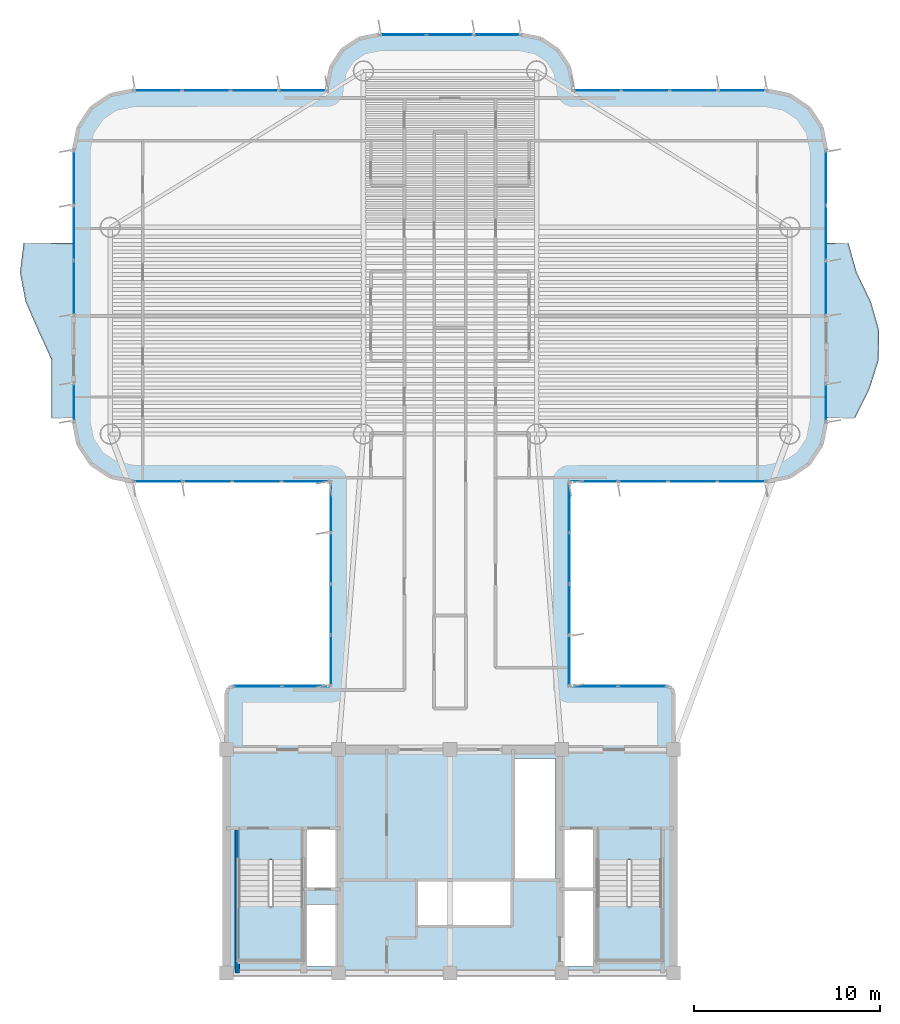
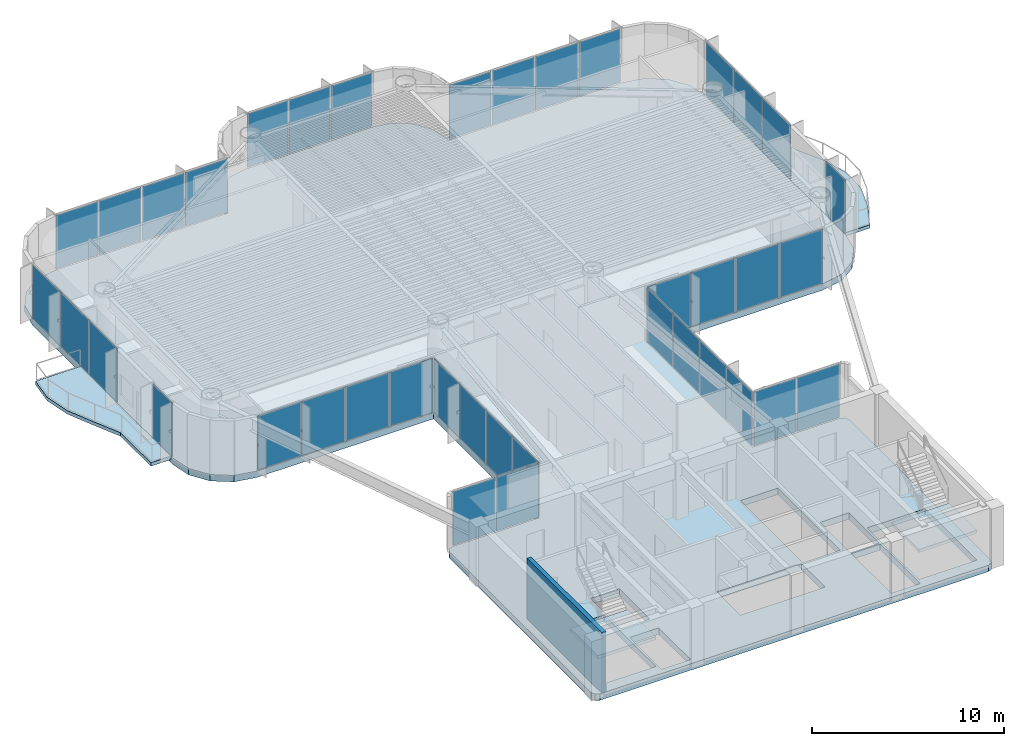
# One storey, part 8 of 15: 39 plates, 5 slabs, 1 wall, 15 elements without a shape of their own.
"""IFC4 building model written with IfcOpenShell, lengths in metres."""

from ifc_helpers import new_model, si_unit, direction, frame, frame_2d, origin, origin_2d, place, context, subcontext, project, spatial, polyline, rectangle, outline, extrude, source, transform, mapped, material, layer, layer_set, type_object, element, aggregate, save


model = new_model("IFC4")

# Units and contexts
model_context = context("Model", 3, precision=1e-05, world=origin(), true_north=direction((0.0, 1.0)))
body_context = subcontext(model_context, "Body", "Model", "MODEL_VIEW")
ifc_project = project(units=[si_unit("LENGTHUNIT", "METRE"), si_unit("AREAUNIT", "SQUARE_METRE"), si_unit("VOLUMEUNIT", "CUBIC_METRE"), si_unit("PLANEANGLEUNIT", "RADIAN"), si_unit("MASSUNIT", "GRAM", prefix="KILO")], contexts=[model_context])

# Site, building, storey
site_placement = place(None, origin())
site = spatial("IfcSite", under=ifc_project, at=site_placement, CompositionType="ELEMENT")
building_placement = place(site_placement, origin())
building = spatial("IfcBuilding", under=site, at=building_placement, Name="Brelvock Crest Care Tower", CompositionType="ELEMENT")
storey_placement = place(building_placement, frame((0.0, 0.0, 156.419921875)))
storey = spatial("IfcBuildingStorey", under=building, at=storey_placement, Name="L39", CompositionType="ELEMENT", Elevation=156.419921875)

# Slabs
ifc_material_1 = material(Name="Concrete N50 (50 MPa)", Category="concrete")
ifc_layer_1 = layer(ifc_material_1, 0.407958984375, Name="SLB-FL5")
ifc_layer_set_1 = layer_set([ifc_layer_1], Name="Concrete N50 (50 MPa)")
slab_type_1 = type_object("IfcSlabType", Name="SLB-FL5", PredefinedType="FLOOR", material=ifc_layer_set_1)
slab_1_placement = place(storey_placement, frame((0.0, 0.0, -0.407958984375)))
element("IfcSlab", 1, at=slab_1_placement, inside=storey, type_object=slab_type_1, Name="L39 Main Structural Slab", PredefinedType="FLOOR", context=body_context, shape_type="SweptSolid", body=[
    extrude(outline(polyline([(47.64990234375, 21.39990234375), (42.39990234375, 21.39990234375), (42.39990234375, 32.39990234375), (53.0, 32.39990234375), (54.224609375, 32.6435546875), (55.2626953125, 33.33740234375), (55.956298828125, 34.37548828125), (56.199951171875, 35.60009765625), (56.199951171875, 50.199951171875), (55.956298828125, 51.424560546875), (55.2626953125, 52.462646484375), (54.224609375, 53.156494140625), (53.0, 53.39990234375), (42.60009765625, 53.39990234375), (42.60009765625, 53.60009765625), (42.386962890625, 54.67138671875), (41.77978515625, 55.579833984375), (40.87158203125, 56.18701171875), (39.800048828125, 56.39990234375), (32.199951171875, 56.39990234375), (31.12841796875, 56.18701171875), (30.22021484375, 55.579833984375), (29.613037109375, 54.67138671875), (29.39990234375, 53.60009765625), (29.39990234375, 53.39990234375), (19.0, 53.39990234375), (17.775390625, 53.156494140625), (16.7373046875, 52.462646484375), (16.043701171875, 51.424560546875), (15.800048828125, 50.199951171875), (15.800048828125, 35.60009765625), (16.043701171875, 34.37548828125), (16.7373046875, 33.33740234375), (17.775390625, 32.6435546875), (19.0, 32.39990234375), (29.60009765625, 32.39990234375), (29.60009765625, 21.39990234375), (24.35009765625, 21.39990234375), (24.1025390625, 21.297607421875), (24.0, 21.050048828125), (24.0, 6.35009765625), (24.1025390625, 6.1025390625), (24.35009765625, 6.0), (47.64990234375, 6.0), (47.8974609375, 6.1025390625), (48.0, 6.35009765625), (48.0, 21.050048828125), (47.8974609375, 21.297607421875), (47.64990234375, 21.39990234375)]), holes=[polyline([(28.239990234375, 10.580078125), (29.97998046875, 10.580078125), (29.97998046875, 13.739990234375), (28.239990234375, 13.739990234375), (28.239990234375, 10.580078125)]), polyline([(42.02001953125, 10.580078125), (43.760009765625, 10.580078125), (43.760009765625, 13.739990234375), (42.02001953125, 13.739990234375), (42.02001953125, 10.580078125)]), polyline([(28.239990234375, 6.340087890625), (29.97998046875, 6.340087890625), (29.97998046875, 9.64990234375), (28.239990234375, 9.64990234375), (28.239990234375, 6.340087890625)]), polyline([(24.6298828125, 12.080078125), (24.6298828125, 6.699951171875), (28.110107421875, 6.699951171875), (28.110107421875, 12.080078125), (24.6298828125, 12.080078125)]), polyline([(43.889892578125, 12.080078125), (43.889892578125, 6.699951171875), (47.3701171875, 6.699951171875), (47.3701171875, 12.080078125), (43.889892578125, 12.080078125)]), polyline([(42.02001953125, 6.340087890625), (43.760009765625, 6.340087890625), (43.760009765625, 10.5), (42.02001953125, 10.5), (42.02001953125, 6.340087890625)]), polyline([(34.22998046875, 8.530029296875), (39.320068359375, 8.530029296875), (39.320068359375, 10.969970703125), (34.22998046875, 10.969970703125), (34.22998046875, 8.530029296875)]), polyline([(39.429931640625, 11.030029296875), (41.669921875, 11.030029296875), (41.669921875, 17.52001953125), (39.429931640625, 17.52001953125), (39.429931640625, 11.030029296875)])]), origin(), (0.0, 0.0, 1.0), 0.407958984375),
])
ifc_layer_2 = layer(ifc_material_1, 0.219970703125, Name="SLB-WB1")
ifc_layer_set_2 = layer_set([ifc_layer_2], Name="Concrete N50 (50 MPa)")
slab_type_2 = type_object("IfcSlabType", Name="SLB-WB1", PredefinedType="FLOOR", material=ifc_layer_set_2)
slab_2_placement = place(storey_placement, frame((0.0, 0.0, -0.219970703125)))
element("IfcSlab", 2, at=slab_2_placement, inside=storey, type_object=slab_type_2, Name="L39 W Sinusoidal Wave Balcony Slab", PredefinedType="FLOOR", context=body_context, shape_type="SweptSolid", body=[
    extrude(outline(polyline([(15.800048828125, 45.199951171875), (13.098876953125, 45.199951171875), (12.90283203125, 43.63330078125), (13.200927734375, 42.066650390625), (13.883544921875, 40.5), (14.60009765625, 38.933349609375), (14.60009765625, 37.36669921875), (14.60009765625, 35.800048828125), (15.800048828125, 35.800048828125), (15.800048828125, 45.199951171875)])), origin(), (0.0, 0.0, 1.0), 0.219970703125),
])
slab_3_placement = place(storey_placement, frame((0.0, 0.0, -0.219970703125)))
element("IfcSlab", 3, at=slab_3_placement, inside=storey, type_object=slab_type_2, Name="L39 E Sinusoidal Wave Balcony Slab", PredefinedType="FLOOR", context=body_context, shape_type="SweptSolid", body=[
    extrude(outline(polyline([(56.199951171875, 35.800048828125), (57.75, 35.800048828125), (58.529052734375, 37.36669921875), (59.022705078125, 38.933349609375), (59.04931640625, 40.5), (58.599609375, 42.066650390625), (57.83837890625, 43.63330078125), (57.39990234375, 45.199951171875), (56.199951171875, 45.199951171875), (56.199951171875, 35.800048828125)])), origin(), (0.0, 0.0, 1.0), 0.219970703125),
])

# Stair, slab
ifc_material_2 = material(Name="Concrete N40 (40 MPa)", Category="concrete")
stair_type = type_object("IfcStairType", Name="ST-CORE1", PredefinedType="HALF_TURN_STAIR", material=ifc_material_2)
stair_1_placement = place(storey_placement, origin())
stair_1 = element("IfcStair", 4, at=stair_1_placement, inside=storey, type_object=stair_type, Name="L39 Fire-Isolated Core Stair ST-1", PredefinedType="HALF_TURN_STAIR")
ifc_layer_3 = layer(ifc_material_2, 0.199951171875, Name="STL-1")
ifc_layer_set_3 = layer_set([ifc_layer_3], Name="Concrete N40 (40 MPa)")
slab_type_3 = type_object("IfcSlabType", Name="STL-1", PredefinedType="LANDING", material=ifc_layer_set_3)
slab_4_placement = place(storey_placement, frame((0.0, 0.0, 1.690185546875)))
slab_4 = element("IfcSlab", 5, at=slab_4_placement, type_object=slab_type_3, Name="ST-1 landing 1", PredefinedType="LANDING", context=body_context, shape_type="SweptSolid", body=[
    extrude(outline(polyline([(24.6298828125, 9.56005859375), (24.6298828125, 6.699951171875), (28.110107421875, 6.699951171875), (28.110107421875, 9.56005859375), (24.6298828125, 9.56005859375)])), origin(), (0.0, 0.0, 1.0), 0.199951171875),
])
aggregate(stair_1, [slab_4])

stair_2_placement = place(storey_placement, origin())
stair_2 = element("IfcStair", 6, at=stair_2_placement, inside=storey, type_object=stair_type, Name="L39 Fire-Isolated Core Stair ST-2", PredefinedType="HALF_TURN_STAIR")
slab_5_placement = place(storey_placement, frame((0.0, 0.0, 1.690185546875)))
slab_5 = element("IfcSlab", 7, at=slab_5_placement, type_object=slab_type_3, Name="ST-2 landing 1", PredefinedType="LANDING", context=body_context, shape_type="SweptSolid", body=[
    extrude(outline(polyline([(43.889892578125, 9.56005859375), (43.889892578125, 6.699951171875), (47.3701171875, 6.699951171875), (47.3701171875, 9.56005859375), (43.889892578125, 9.56005859375)])), origin(), (0.0, 0.0, 1.0), 0.199951171875),
])
aggregate(stair_2, [slab_5])

# Curtain wall, plates
ifc_material_3 = material(Name="Dark Glass Double Glazed Low-E", Category="glass")
ifc_layer_4 = layer(ifc_material_3, 0.22509765625, Name="CWS-4")
ifc_layer_set_4 = layer_set([ifc_layer_4], Name="Dark Glass Double Glazed Low-E")
curtain_wall_type = type_object("IfcCurtainWallType", Name="CWS-4", PredefinedType="NOTDEFINED", material=ifc_layer_set_4)
curtain_wall_1_placement = place(storey_placement, origin())
curtain_wall_1 = element("IfcCurtainWall", 8, at=curtain_wall_1_placement, inside=storey, type_object=curtain_wall_type, Name="L39 Curtain Wall E10", PredefinedType="NOTDEFINED")
ifc_layer_5 = layer(ifc_material_3, 0.0380859375, Name="CWP-V2")
ifc_layer_set_5 = layer_set([ifc_layer_5], Name="Dark Glass Double Glazed Low-E")
plate_type = type_object("IfcPlateType", Name="CWP-V2", PredefinedType="CURTAIN_PANEL", material=ifc_layer_set_5)
shared_shape_1 = source(origin(), body_context, "Body", "SweptSolid", [
    extrude(rectangle(XDim=2.534912109375, YDim=0.035888671875, at=origin_2d()), origin(), (0.0, 0.0, 1.0), 3.409912109375),
])
plate_1_placement = place(storey_placement, frame((25.677490234375, 21.39990234375, 0.06005859375), z_axis=(0.0, 0.0, 1.0), x_axis=(1.0, 0.0, 0.0)))
plate_1 = element("IfcPlate", 9, at=plate_1_placement, type_object=plate_type, Name="CW-4 panel 1.1", PredefinedType="CURTAIN_PANEL", context=body_context, shape_type="MappedRepresentation", body=[
    mapped(shared_shape_1, transform((0.0, 0.0, 0.0), x_axis=(1.0, 0.0, 0.0), y_axis=(0.0, 1.0, 0.0), z_axis=(0.0, 0.0, 1.0), scale=1.0)),
])
plate_2_placement = place(storey_placement, frame((28.2724609375, 21.39990234375, 0.06005859375), z_axis=(0.0, 0.0, 1.0), x_axis=(1.0, 0.0, 0.0)))
plate_2 = element("IfcPlate", 10, at=plate_2_placement, type_object=plate_type, Name="CW-4 panel 2.1", PredefinedType="CURTAIN_PANEL", context=body_context, shape_type="MappedRepresentation", body=[
    mapped(shared_shape_1, transform((0.0, 0.0, 0.0), x_axis=(1.0, 0.0, 0.0), y_axis=(0.0, 1.0, 0.0), z_axis=(0.0, 0.0, 1.0), scale=1.0)),
])
aggregate(curtain_wall_1, [plate_1, plate_2])

curtain_wall_2_placement = place(storey_placement, origin())
curtain_wall_2 = element("IfcCurtainWall", 11, at=curtain_wall_2_placement, inside=storey, type_object=curtain_wall_type, Name="L39 Curtain Wall E46", PredefinedType="NOTDEFINED")
plate_3_placement = place(storey_placement, frame((43.7275390625, 21.39990234375, 0.06005859375), z_axis=(0.0, 0.0, 1.0), x_axis=(1.0, 0.0, 0.0)))
plate_3 = element("IfcPlate", 12, at=plate_3_placement, type_object=plate_type, Name="CW-4 panel 1.1", PredefinedType="CURTAIN_PANEL", context=body_context, shape_type="MappedRepresentation", body=[
    mapped(shared_shape_1, transform((0.0, 0.0, 0.0), x_axis=(1.0, 0.0, 0.0), y_axis=(0.0, 1.0, 0.0), z_axis=(0.0, 0.0, 1.0), scale=1.0)),
])
plate_4_placement = place(storey_placement, frame((46.322509765625, 21.39990234375, 0.06005859375), z_axis=(0.0, 0.0, 1.0), x_axis=(1.0, 0.0, 0.0)))
plate_4 = element("IfcPlate", 13, at=plate_4_placement, type_object=plate_type, Name="CW-4 panel 2.1", PredefinedType="CURTAIN_PANEL", context=body_context, shape_type="MappedRepresentation", body=[
    mapped(shared_shape_1, transform((0.0, 0.0, 0.0), x_axis=(1.0, 0.0, 0.0), y_axis=(0.0, 1.0, 0.0), z_axis=(0.0, 0.0, 1.0), scale=1.0)),
])
aggregate(curtain_wall_2, [plate_3, plate_4])

curtain_wall_3_placement = place(storey_placement, origin())
curtain_wall_3 = element("IfcCurtainWall", 14, at=curtain_wall_3_placement, inside=storey, type_object=curtain_wall_type, Name="L39 Curtain Wall E11", PredefinedType="NOTDEFINED")
shared_shape_2 = source(origin(), body_context, "Body", "SweptSolid", [
    extrude(rectangle(XDim=2.659912109375, YDim=0.035888671875, at=origin_2d()), origin(), (0.0, 0.0, 1.0), 3.409912109375),
])
plate_5_placement = place(storey_placement, frame((29.60009765625, 22.7900390625, 0.06005859375), z_axis=(0.0, 0.0, 1.0), x_axis=(0.0, 1.0, 0.0)))
plate_5 = element("IfcPlate", 15, at=plate_5_placement, type_object=plate_type, Name="CW-4 panel 1.1", PredefinedType="CURTAIN_PANEL", context=body_context, shape_type="MappedRepresentation", body=[
    mapped(shared_shape_2, transform((0.0, 0.0, 0.0), x_axis=(1.0, 0.0, 0.0), y_axis=(0.0, 1.0, 0.0), z_axis=(0.0, 0.0, 1.0), scale=1.0)),
])
plate_6_placement = place(storey_placement, frame((29.60009765625, 31.010009765625, 0.06005859375), z_axis=(0.0, 0.0, 1.0), x_axis=(0.0, 1.0, 0.0)))
plate_6 = element("IfcPlate", 16, at=plate_6_placement, type_object=plate_type, Name="CW-4 panel 4.1", PredefinedType="CURTAIN_PANEL", context=body_context, shape_type="MappedRepresentation", body=[
    mapped(shared_shape_2, transform((0.0, 0.0, 0.0), x_axis=(1.0, 0.0, 0.0), y_axis=(0.0, 1.0, 0.0), z_axis=(0.0, 0.0, 1.0), scale=1.0)),
])

curtain_wall_4_placement = place(storey_placement, origin())
curtain_wall_4 = element("IfcCurtainWall", 17, at=curtain_wall_4_placement, inside=storey, type_object=curtain_wall_type, Name="L39 Curtain Wall E45", PredefinedType="NOTDEFINED")
plate_7_placement = place(storey_placement, frame((42.39990234375, 31.010009765625, 0.06005859375), z_axis=(0.0, 0.0, 1.0), x_axis=(0.0, -1.0, 0.0)))
plate_7 = element("IfcPlate", 18, at=plate_7_placement, type_object=plate_type, Name="CW-4 panel 1.1", PredefinedType="CURTAIN_PANEL", context=body_context, shape_type="MappedRepresentation", body=[
    mapped(shared_shape_2, transform((0.0, 0.0, 0.0), x_axis=(1.0, 0.0, 0.0), y_axis=(0.0, 1.0, 0.0), z_axis=(0.0, 0.0, 1.0), scale=1.0)),
])
plate_8_placement = place(storey_placement, frame((42.39990234375, 22.7900390625, 0.06005859375), z_axis=(0.0, 0.0, 1.0), x_axis=(0.0, -1.0, 0.0)))
plate_8 = element("IfcPlate", 19, at=plate_8_placement, type_object=plate_type, Name="CW-4 panel 4.1", PredefinedType="CURTAIN_PANEL", context=body_context, shape_type="MappedRepresentation", body=[
    mapped(shared_shape_2, transform((0.0, 0.0, 0.0), x_axis=(1.0, 0.0, 0.0), y_axis=(0.0, 1.0, 0.0), z_axis=(0.0, 0.0, 1.0), scale=1.0)),
])

# Plate
shared_shape_3 = source(origin(), body_context, "Body", "SweptSolid", [
    extrude(rectangle(XDim=2.68994140625, YDim=0.035888671875, at=origin_2d()), origin(), (0.0, 0.0, 1.0), 3.409912109375),
])
plate_9_placement = place(storey_placement, frame((29.60009765625, 25.52490234375, 0.06005859375), z_axis=(0.0, 0.0, 1.0), x_axis=(0.0, 1.0, 0.0)))
plate_9 = element("IfcPlate", 20, at=plate_9_placement, type_object=plate_type, Name="CW-4 panel 2.1", PredefinedType="CURTAIN_PANEL", context=body_context, shape_type="MappedRepresentation", body=[
    mapped(shared_shape_3, transform((0.0, 0.0, 0.0), x_axis=(1.0, 0.0, 0.0), y_axis=(0.0, 1.0, 0.0), z_axis=(0.0, 0.0, 1.0), scale=1.0)),
])

plate_10_placement = place(storey_placement, frame((29.60009765625, 28.27490234375, 0.06005859375), z_axis=(0.0, 0.0, 1.0), x_axis=(0.0, 1.0, 0.0)))
plate_10 = element("IfcPlate", 21, at=plate_10_placement, type_object=plate_type, Name="CW-4 panel 3.1", PredefinedType="CURTAIN_PANEL", context=body_context, shape_type="MappedRepresentation", body=[
    mapped(shared_shape_3, transform((0.0, 0.0, 0.0), x_axis=(1.0, 0.0, 0.0), y_axis=(0.0, 1.0, 0.0), z_axis=(0.0, 0.0, 1.0), scale=1.0)),
])

aggregate(curtain_wall_3, [plate_5, plate_9, plate_10, plate_6])

plate_11_placement = place(storey_placement, frame((42.39990234375, 28.27490234375, 0.06005859375), z_axis=(0.0, 0.0, 1.0), x_axis=(0.0, -1.0, 0.0)))
plate_11 = element("IfcPlate", 22, at=plate_11_placement, type_object=plate_type, Name="CW-4 panel 2.1", PredefinedType="CURTAIN_PANEL", context=body_context, shape_type="MappedRepresentation", body=[
    mapped(shared_shape_3, transform((0.0, 0.0, 0.0), x_axis=(1.0, 0.0, 0.0), y_axis=(0.0, 1.0, 0.0), z_axis=(0.0, 0.0, 1.0), scale=1.0)),
])

plate_12_placement = place(storey_placement, frame((42.39990234375, 25.52490234375, 0.06005859375), z_axis=(0.0, 0.0, 1.0), x_axis=(0.0, -1.0, 0.0)))
plate_12 = element("IfcPlate", 23, at=plate_12_placement, type_object=plate_type, Name="CW-4 panel 3.1", PredefinedType="CURTAIN_PANEL", context=body_context, shape_type="MappedRepresentation", body=[
    mapped(shared_shape_3, transform((0.0, 0.0, 0.0), x_axis=(1.0, 0.0, 0.0), y_axis=(0.0, 1.0, 0.0), z_axis=(0.0, 0.0, 1.0), scale=1.0)),
])

aggregate(curtain_wall_4, [plate_7, plate_11, plate_12, plate_8])

# Curtain wall, plates
curtain_wall_5_placement = place(storey_placement, origin())
curtain_wall_5 = element("IfcCurtainWall", 24, at=curtain_wall_5_placement, inside=storey, type_object=curtain_wall_type, Name="L39 Curtain Wall E12", PredefinedType="NOTDEFINED")
shared_shape_4 = source(origin(), body_context, "Body", "SweptSolid", [
    extrude(rectangle(XDim=2.56005859375, YDim=0.035888671875, at=origin_2d()), origin(), (0.0, 0.0, 1.0), 3.409912109375),
])
plate_13_placement = place(storey_placement, frame((28.260009765625, 32.39990234375, 0.06005859375), z_axis=(0.0, 0.0, 1.0), x_axis=(-1.0, 0.0, 0.0)))
plate_13 = element("IfcPlate", 25, at=plate_13_placement, type_object=plate_type, Name="CW-4 panel 1.1", PredefinedType="CURTAIN_PANEL", context=body_context, shape_type="MappedRepresentation", body=[
    mapped(shared_shape_4, transform((0.0, 0.0, 0.0), x_axis=(1.0, 0.0, 0.0), y_axis=(0.0, 1.0, 0.0), z_axis=(0.0, 0.0, 1.0), scale=1.0)),
])
plate_14_placement = place(storey_placement, frame((20.340087890625, 32.39990234375, 0.06005859375), z_axis=(0.0, 0.0, 1.0), x_axis=(-1.0, 0.0, 0.0)))
plate_14 = element("IfcPlate", 26, at=plate_14_placement, type_object=plate_type, Name="CW-4 panel 4.1", PredefinedType="CURTAIN_PANEL", context=body_context, shape_type="MappedRepresentation", body=[
    mapped(shared_shape_4, transform((0.0, 0.0, 0.0), x_axis=(1.0, 0.0, 0.0), y_axis=(0.0, 1.0, 0.0), z_axis=(0.0, 0.0, 1.0), scale=1.0)),
])

curtain_wall_6_placement = place(storey_placement, origin())
curtain_wall_6 = element("IfcCurtainWall", 27, at=curtain_wall_6_placement, inside=storey, type_object=curtain_wall_type, Name="L39 Curtain Wall E44", PredefinedType="NOTDEFINED")
plate_15_placement = place(storey_placement, frame((51.659912109375, 32.39990234375, 0.06005859375), z_axis=(0.0, 0.0, 1.0), x_axis=(-1.0, 0.0, 0.0)))
plate_15 = element("IfcPlate", 28, at=plate_15_placement, type_object=plate_type, Name="CW-4 panel 1.1", PredefinedType="CURTAIN_PANEL", context=body_context, shape_type="MappedRepresentation", body=[
    mapped(shared_shape_4, transform((0.0, 0.0, 0.0), x_axis=(1.0, 0.0, 0.0), y_axis=(0.0, 1.0, 0.0), z_axis=(0.0, 0.0, 1.0), scale=1.0)),
])
plate_16_placement = place(storey_placement, frame((43.739990234375, 32.39990234375, 0.06005859375), z_axis=(0.0, 0.0, 1.0), x_axis=(-1.0, 0.0, 0.0)))
plate_16 = element("IfcPlate", 29, at=plate_16_placement, type_object=plate_type, Name="CW-4 panel 4.1", PredefinedType="CURTAIN_PANEL", context=body_context, shape_type="MappedRepresentation", body=[
    mapped(shared_shape_4, transform((0.0, 0.0, 0.0), x_axis=(1.0, 0.0, 0.0), y_axis=(0.0, 1.0, 0.0), z_axis=(0.0, 0.0, 1.0), scale=1.0)),
])

# Plate
shared_shape_5 = source(origin(), body_context, "Body", "SweptSolid", [
    extrude(rectangle(XDim=2.590087890625, YDim=0.035888671875, at=origin_2d()), origin(), (0.0, 0.0, 1.0), 3.409912109375),
])
plate_17_placement = place(storey_placement, frame((25.625, 32.39990234375, 0.06005859375), z_axis=(0.0, 0.0, 1.0), x_axis=(-1.0, 0.0, 0.0)))
plate_17 = element("IfcPlate", 30, at=plate_17_placement, type_object=plate_type, Name="CW-4 panel 2.1", PredefinedType="CURTAIN_PANEL", context=body_context, shape_type="MappedRepresentation", body=[
    mapped(shared_shape_5, transform((0.0, 0.0, 0.0), x_axis=(1.0, 0.0, 0.0), y_axis=(0.0, 1.0, 0.0), z_axis=(0.0, 0.0, 1.0), scale=1.0)),
])

plate_18_placement = place(storey_placement, frame((22.97509765625, 32.39990234375, 0.06005859375), z_axis=(0.0, 0.0, 1.0), x_axis=(-1.0, 0.0, 0.0)))
plate_18 = element("IfcPlate", 31, at=plate_18_placement, type_object=plate_type, Name="CW-4 panel 3.1", PredefinedType="CURTAIN_PANEL", context=body_context, shape_type="MappedRepresentation", body=[
    mapped(shared_shape_5, transform((0.0, 0.0, 0.0), x_axis=(1.0, 0.0, 0.0), y_axis=(0.0, 1.0, 0.0), z_axis=(0.0, 0.0, 1.0), scale=1.0)),
])

aggregate(curtain_wall_5, [plate_13, plate_17, plate_18, plate_14])

plate_19_placement = place(storey_placement, frame((49.02490234375, 32.39990234375, 0.06005859375), z_axis=(0.0, 0.0, 1.0), x_axis=(-1.0, 0.0, 0.0)))
plate_19 = element("IfcPlate", 32, at=plate_19_placement, type_object=plate_type, Name="CW-4 panel 2.1", PredefinedType="CURTAIN_PANEL", context=body_context, shape_type="MappedRepresentation", body=[
    mapped(shared_shape_5, transform((0.0, 0.0, 0.0), x_axis=(1.0, 0.0, 0.0), y_axis=(0.0, 1.0, 0.0), z_axis=(0.0, 0.0, 1.0), scale=1.0)),
])

plate_20_placement = place(storey_placement, frame((46.375, 32.39990234375, 0.06005859375), z_axis=(0.0, 0.0, 1.0), x_axis=(-1.0, 0.0, 0.0)))
plate_20 = element("IfcPlate", 33, at=plate_20_placement, type_object=plate_type, Name="CW-4 panel 3.1", PredefinedType="CURTAIN_PANEL", context=body_context, shape_type="MappedRepresentation", body=[
    mapped(shared_shape_5, transform((0.0, 0.0, 0.0), x_axis=(1.0, 0.0, 0.0), y_axis=(0.0, 1.0, 0.0), z_axis=(0.0, 0.0, 1.0), scale=1.0)),
])

aggregate(curtain_wall_6, [plate_15, plate_19, plate_20, plate_16])

# Curtain wall, plate
curtain_wall_7_placement = place(storey_placement, origin())
curtain_wall_7 = element("IfcCurtainWall", 34, at=curtain_wall_7_placement, inside=storey, type_object=curtain_wall_type, Name="L39 Curtain Wall E17A", PredefinedType="NOTDEFINED")
shared_shape_6 = source(origin(), body_context, "Body", "SweptSolid", [
    extrude(rectangle(XDim=1.97998046875, YDim=0.035888671875, at=origin_2d()), origin(), (0.0, 0.0, 1.0), 3.409912109375),
])
plate_21_placement = place(storey_placement, frame((15.800048828125, 36.64990234375, 0.06005859375), z_axis=(0.0, 0.0, 1.0), x_axis=(0.0, 1.0, 0.0)))
plate_21 = element("IfcPlate", 35, at=plate_21_placement, type_object=plate_type, Name="CW-4 panel 1.1", PredefinedType="CURTAIN_PANEL", context=body_context, shape_type="MappedRepresentation", body=[
    mapped(shared_shape_6, transform((0.0, 0.0, 0.0), x_axis=(1.0, 0.0, 0.0), y_axis=(0.0, 1.0, 0.0), z_axis=(0.0, 0.0, 1.0), scale=1.0)),
])
aggregate(curtain_wall_7, [plate_21])

curtain_wall_8_placement = place(storey_placement, origin())
curtain_wall_8 = element("IfcCurtainWall", 36, at=curtain_wall_8_placement, inside=storey, type_object=curtain_wall_type, Name="L39 Curtain Wall E39B", PredefinedType="NOTDEFINED")
plate_22_placement = place(storey_placement, frame((56.199951171875, 36.64990234375, 0.06005859375), z_axis=(0.0, 0.0, 1.0), x_axis=(0.0, -1.0, 0.0)))
plate_22 = element("IfcPlate", 37, at=plate_22_placement, type_object=plate_type, Name="CW-4 panel 1.1", PredefinedType="CURTAIN_PANEL", context=body_context, shape_type="MappedRepresentation", body=[
    mapped(shared_shape_6, transform((0.0, 0.0, 0.0), x_axis=(1.0, 0.0, 0.0), y_axis=(0.0, 1.0, 0.0), z_axis=(0.0, 0.0, 1.0), scale=1.0)),
])
aggregate(curtain_wall_8, [plate_22])

# Curtain wall, plates
curtain_wall_9_placement = place(storey_placement, origin())
curtain_wall_9 = element("IfcCurtainWall", 38, at=curtain_wall_9_placement, inside=storey, type_object=curtain_wall_type, Name="L39 Curtain Wall E17B", PredefinedType="NOTDEFINED")
shared_shape_7 = source(origin(), body_context, "Body", "SweptSolid", [
    extrude(rectangle(XDim=2.876708984375, YDim=0.035888671875, at=origin_2d()), origin(), (0.0, 0.0, 1.0), 3.409912109375),
])
plate_23_placement = place(storey_placement, frame((15.800048828125, 42.79833984375, 0.06005859375), z_axis=(0.0, 0.0, 1.0), x_axis=(0.0, 1.0, 0.0)))
plate_23 = element("IfcPlate", 39, at=plate_23_placement, type_object=plate_type, Name="CW-4 panel 1.1", PredefinedType="CURTAIN_PANEL", context=body_context, shape_type="MappedRepresentation", body=[
    mapped(shared_shape_7, transform((0.0, 0.0, 0.0), x_axis=(1.0, 0.0, 0.0), y_axis=(0.0, 1.0, 0.0), z_axis=(0.0, 0.0, 1.0), scale=1.0)),
])
plate_24_placement = place(storey_placement, frame((15.800048828125, 48.70166015625, 0.06005859375), z_axis=(0.0, 0.0, 1.0), x_axis=(0.0, 1.0, 0.0)))
plate_24 = element("IfcPlate", 40, at=plate_24_placement, type_object=plate_type, Name="CW-4 panel 3.1", PredefinedType="CURTAIN_PANEL", context=body_context, shape_type="MappedRepresentation", body=[
    mapped(shared_shape_7, transform((0.0, 0.0, 0.0), x_axis=(1.0, 0.0, 0.0), y_axis=(0.0, 1.0, 0.0), z_axis=(0.0, 0.0, 1.0), scale=1.0)),
])

curtain_wall_10_placement = place(storey_placement, origin())
curtain_wall_10 = element("IfcCurtainWall", 41, at=curtain_wall_10_placement, inside=storey, type_object=curtain_wall_type, Name="L39 Curtain Wall E39A", PredefinedType="NOTDEFINED")
plate_25_placement = place(storey_placement, frame((56.199951171875, 48.70166015625, 0.06005859375), z_axis=(0.0, 0.0, 1.0), x_axis=(0.0, -1.0, 0.0)))
plate_25 = element("IfcPlate", 42, at=plate_25_placement, type_object=plate_type, Name="CW-4 panel 1.1", PredefinedType="CURTAIN_PANEL", context=body_context, shape_type="MappedRepresentation", body=[
    mapped(shared_shape_7, transform((0.0, 0.0, 0.0), x_axis=(1.0, 0.0, 0.0), y_axis=(0.0, 1.0, 0.0), z_axis=(0.0, 0.0, 1.0), scale=1.0)),
])
plate_26_placement = place(storey_placement, frame((56.199951171875, 42.79833984375, 0.06005859375), z_axis=(0.0, 0.0, 1.0), x_axis=(0.0, -1.0, 0.0)))
plate_26 = element("IfcPlate", 43, at=plate_26_placement, type_object=plate_type, Name="CW-4 panel 3.1", PredefinedType="CURTAIN_PANEL", context=body_context, shape_type="MappedRepresentation", body=[
    mapped(shared_shape_7, transform((0.0, 0.0, 0.0), x_axis=(1.0, 0.0, 0.0), y_axis=(0.0, 1.0, 0.0), z_axis=(0.0, 0.0, 1.0), scale=1.0)),
])

# Plate
shared_shape_8 = source(origin(), body_context, "Body", "SweptSolid", [
    extrude(rectangle(XDim=2.90673828125, YDim=0.035888671875, at=origin_2d()), origin(), (0.0, 0.0, 1.0), 3.409912109375),
])
plate_27_placement = place(storey_placement, frame((15.800048828125, 45.75, 0.06005859375), z_axis=(0.0, 0.0, 1.0), x_axis=(0.0, 1.0, 0.0)))
plate_27 = element("IfcPlate", 44, at=plate_27_placement, type_object=plate_type, Name="CW-4 panel 2.1", PredefinedType="CURTAIN_PANEL", context=body_context, shape_type="MappedRepresentation", body=[
    mapped(shared_shape_8, transform((0.0, 0.0, 0.0), x_axis=(1.0, 0.0, 0.0), y_axis=(0.0, 1.0, 0.0), z_axis=(0.0, 0.0, 1.0), scale=1.0)),
])

aggregate(curtain_wall_9, [plate_23, plate_27, plate_24])

plate_28_placement = place(storey_placement, frame((56.199951171875, 45.75, 0.06005859375), z_axis=(0.0, 0.0, 1.0), x_axis=(0.0, -1.0, 0.0)))
plate_28 = element("IfcPlate", 45, at=plate_28_placement, type_object=plate_type, Name="CW-4 panel 2.1", PredefinedType="CURTAIN_PANEL", context=body_context, shape_type="MappedRepresentation", body=[
    mapped(shared_shape_8, transform((0.0, 0.0, 0.0), x_axis=(1.0, 0.0, 0.0), y_axis=(0.0, 1.0, 0.0), z_axis=(0.0, 0.0, 1.0), scale=1.0)),
])

aggregate(curtain_wall_10, [plate_25, plate_28, plate_26])

# Curtain wall, plates
curtain_wall_11_placement = place(storey_placement, origin())
curtain_wall_11 = element("IfcCurtainWall", 46, at=curtain_wall_11_placement, inside=storey, type_object=curtain_wall_type, Name="L39 Curtain Wall E22", PredefinedType="NOTDEFINED")
shared_shape_9 = source(origin(), body_context, "Body", "SweptSolid", [
    extrude(rectangle(XDim=2.510009765625, YDim=0.035888671875, at=origin_2d()), origin(), (0.0, 0.0, 1.0), 3.409912109375),
])
plate_29_placement = place(storey_placement, frame((20.31494140625, 53.39990234375, 0.06005859375), z_axis=(0.0, 0.0, 1.0), x_axis=(1.0, 0.0, 0.0)))
plate_29 = element("IfcPlate", 47, at=plate_29_placement, type_object=plate_type, Name="CW-4 panel 1.1", PredefinedType="CURTAIN_PANEL", context=body_context, shape_type="MappedRepresentation", body=[
    mapped(shared_shape_9, transform((0.0, 0.0, 0.0), x_axis=(1.0, 0.0, 0.0), y_axis=(0.0, 1.0, 0.0), z_axis=(0.0, 0.0, 1.0), scale=1.0)),
])
plate_30_placement = place(storey_placement, frame((28.0849609375, 53.39990234375, 0.06005859375), z_axis=(0.0, 0.0, 1.0), x_axis=(1.0, 0.0, 0.0)))
plate_30 = element("IfcPlate", 48, at=plate_30_placement, type_object=plate_type, Name="CW-4 panel 4.1", PredefinedType="CURTAIN_PANEL", context=body_context, shape_type="MappedRepresentation", body=[
    mapped(shared_shape_9, transform((0.0, 0.0, 0.0), x_axis=(1.0, 0.0, 0.0), y_axis=(0.0, 1.0, 0.0), z_axis=(0.0, 0.0, 1.0), scale=1.0)),
])

curtain_wall_12_placement = place(storey_placement, origin())
curtain_wall_12 = element("IfcCurtainWall", 49, at=curtain_wall_12_placement, inside=storey, type_object=curtain_wall_type, Name="L39 Curtain Wall E34", PredefinedType="NOTDEFINED")
plate_31_placement = place(storey_placement, frame((43.9150390625, 53.39990234375, 0.06005859375), z_axis=(0.0, 0.0, 1.0), x_axis=(1.0, 0.0, 0.0)))
plate_31 = element("IfcPlate", 50, at=plate_31_placement, type_object=plate_type, Name="CW-4 panel 1.1", PredefinedType="CURTAIN_PANEL", context=body_context, shape_type="MappedRepresentation", body=[
    mapped(shared_shape_9, transform((0.0, 0.0, 0.0), x_axis=(1.0, 0.0, 0.0), y_axis=(0.0, 1.0, 0.0), z_axis=(0.0, 0.0, 1.0), scale=1.0)),
])
plate_32_placement = place(storey_placement, frame((51.68505859375, 53.39990234375, 0.06005859375), z_axis=(0.0, 0.0, 1.0), x_axis=(1.0, 0.0, 0.0)))
plate_32 = element("IfcPlate", 51, at=plate_32_placement, type_object=plate_type, Name="CW-4 panel 4.1", PredefinedType="CURTAIN_PANEL", context=body_context, shape_type="MappedRepresentation", body=[
    mapped(shared_shape_9, transform((0.0, 0.0, 0.0), x_axis=(1.0, 0.0, 0.0), y_axis=(0.0, 1.0, 0.0), z_axis=(0.0, 0.0, 1.0), scale=1.0)),
])

# Plate
shared_shape_10 = source(origin(), body_context, "Body", "SweptSolid", [
    extrude(rectangle(XDim=2.5400390625, YDim=0.035888671875, at=origin_2d()), origin(), (0.0, 0.0, 1.0), 3.409912109375),
])
plate_33_placement = place(storey_placement, frame((22.89990234375, 53.39990234375, 0.06005859375), z_axis=(0.0, 0.0, 1.0), x_axis=(1.0, 0.0, 0.0)))
plate_33 = element("IfcPlate", 52, at=plate_33_placement, type_object=plate_type, Name="CW-4 panel 2.1", PredefinedType="CURTAIN_PANEL", context=body_context, shape_type="MappedRepresentation", body=[
    mapped(shared_shape_10, transform((0.0, 0.0, 0.0), x_axis=(1.0, 0.0, 0.0), y_axis=(0.0, 1.0, 0.0), z_axis=(0.0, 0.0, 1.0), scale=1.0)),
])

plate_34_placement = place(storey_placement, frame((25.5, 53.39990234375, 0.06005859375), z_axis=(0.0, 0.0, 1.0), x_axis=(1.0, 0.0, 0.0)))
plate_34 = element("IfcPlate", 53, at=plate_34_placement, type_object=plate_type, Name="CW-4 panel 3.1", PredefinedType="CURTAIN_PANEL", context=body_context, shape_type="MappedRepresentation", body=[
    mapped(shared_shape_10, transform((0.0, 0.0, 0.0), x_axis=(1.0, 0.0, 0.0), y_axis=(0.0, 1.0, 0.0), z_axis=(0.0, 0.0, 1.0), scale=1.0)),
])

aggregate(curtain_wall_11, [plate_29, plate_33, plate_34, plate_30])

plate_35_placement = place(storey_placement, frame((46.5, 53.39990234375, 0.06005859375), z_axis=(0.0, 0.0, 1.0), x_axis=(1.0, 0.0, 0.0)))
plate_35 = element("IfcPlate", 54, at=plate_35_placement, type_object=plate_type, Name="CW-4 panel 2.1", PredefinedType="CURTAIN_PANEL", context=body_context, shape_type="MappedRepresentation", body=[
    mapped(shared_shape_10, transform((0.0, 0.0, 0.0), x_axis=(1.0, 0.0, 0.0), y_axis=(0.0, 1.0, 0.0), z_axis=(0.0, 0.0, 1.0), scale=1.0)),
])

plate_36_placement = place(storey_placement, frame((49.10009765625, 53.39990234375, 0.06005859375), z_axis=(0.0, 0.0, 1.0), x_axis=(1.0, 0.0, 0.0)))
plate_36 = element("IfcPlate", 55, at=plate_36_placement, type_object=plate_type, Name="CW-4 panel 3.1", PredefinedType="CURTAIN_PANEL", context=body_context, shape_type="MappedRepresentation", body=[
    mapped(shared_shape_10, transform((0.0, 0.0, 0.0), x_axis=(1.0, 0.0, 0.0), y_axis=(0.0, 1.0, 0.0), z_axis=(0.0, 0.0, 1.0), scale=1.0)),
])

aggregate(curtain_wall_12, [plate_31, plate_35, plate_36, plate_32])

# Curtain wall, plates
curtain_wall_13_placement = place(storey_placement, origin())
curtain_wall_13 = element("IfcCurtainWall", 56, at=curtain_wall_13_placement, inside=storey, type_object=curtain_wall_type, Name="L39 Curtain Wall E28", PredefinedType="NOTDEFINED")
shared_shape_11 = source(origin(), body_context, "Body", "SweptSolid", [
    extrude(rectangle(XDim=2.443359375, YDim=0.035888671875, at=origin_2d()), origin(), (0.0, 0.0, 1.0), 3.409912109375),
])
plate_37_placement = place(storey_placement, frame((33.481689453125, 56.39990234375, 0.06005859375), z_axis=(0.0, 0.0, 1.0), x_axis=(1.0, 0.0, 0.0)))
plate_37 = element("IfcPlate", 57, at=plate_37_placement, type_object=plate_type, Name="CW-4 panel 1.1", PredefinedType="CURTAIN_PANEL", context=body_context, shape_type="MappedRepresentation", body=[
    mapped(shared_shape_11, transform((0.0, 0.0, 0.0), x_axis=(1.0, 0.0, 0.0), y_axis=(0.0, 1.0, 0.0), z_axis=(0.0, 0.0, 1.0), scale=1.0)),
])
plate_38_placement = place(storey_placement, frame((38.518310546875, 56.39990234375, 0.06005859375), z_axis=(0.0, 0.0, 1.0), x_axis=(1.0, 0.0, 0.0)))
plate_38 = element("IfcPlate", 58, at=plate_38_placement, type_object=plate_type, Name="CW-4 panel 3.1", PredefinedType="CURTAIN_PANEL", context=body_context, shape_type="MappedRepresentation", body=[
    mapped(shared_shape_11, transform((0.0, 0.0, 0.0), x_axis=(1.0, 0.0, 0.0), y_axis=(0.0, 1.0, 0.0), z_axis=(0.0, 0.0, 1.0), scale=1.0)),
])
shared_shape_12 = source(origin(), body_context, "Body", "SweptSolid", [
    extrude(rectangle(XDim=2.473388671875, YDim=0.035888671875, at=origin_2d()), origin(), (0.0, 0.0, 1.0), 3.409912109375),
])
plate_39_placement = place(storey_placement, frame((36.0, 56.39990234375, 0.06005859375), z_axis=(0.0, 0.0, 1.0), x_axis=(1.0, 0.0, 0.0)))
plate_39 = element("IfcPlate", 59, at=plate_39_placement, type_object=plate_type, Name="CW-4 panel 2.1", PredefinedType="CURTAIN_PANEL", context=body_context, shape_type="MappedRepresentation", body=[
    mapped(shared_shape_12, transform((0.0, 0.0, 0.0), x_axis=(1.0, 0.0, 0.0), y_axis=(0.0, 1.0, 0.0), z_axis=(0.0, 0.0, 1.0), scale=1.0)),
])
aggregate(curtain_wall_13, [plate_37, plate_39, plate_38])

# Wall
ifc_material_4 = material(Name="Concrete S80 (80 MPa)", Category="concrete")
ifc_layer_6 = layer(ifc_material_4, 0.25, Name="WL-CS6")
ifc_layer_set_6 = layer_set([ifc_layer_6], Name="Concrete S80 (80 MPa)")
wall_type = type_object("IfcWallType", Name="WL-CS6", PredefinedType="SHEAR", material=ifc_layer_set_6)
wall_placement = place(storey_placement, frame((24.580078125, 6.0, 0.0), z_axis=(0.0, 0.0, 1.0), x_axis=(0.0, 1.0, 0.0)))
element("IfcWall", 60, at=wall_placement, inside=storey, type_object=wall_type, Name="L39 Core Stair ST-1 West Shear Wall", PredefinedType="SHEAR", context=body_context, shape_type="SweptSolid", body=[
    extrude(rectangle(XDim=7.780029296875, YDim=0.25, at=frame_2d((3.89013671875, 0.0))), origin(), (0.0, 0.0, 1.0), 3.85009765625),
])

save(model, "model.ifc")
